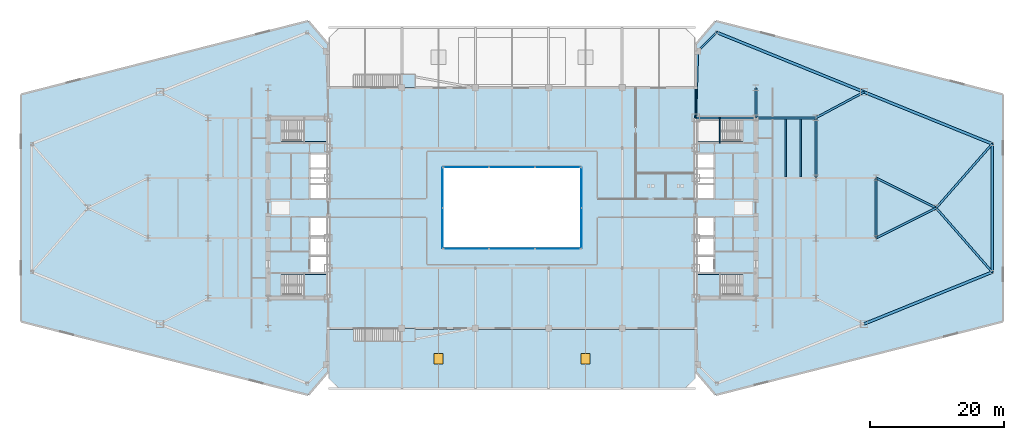
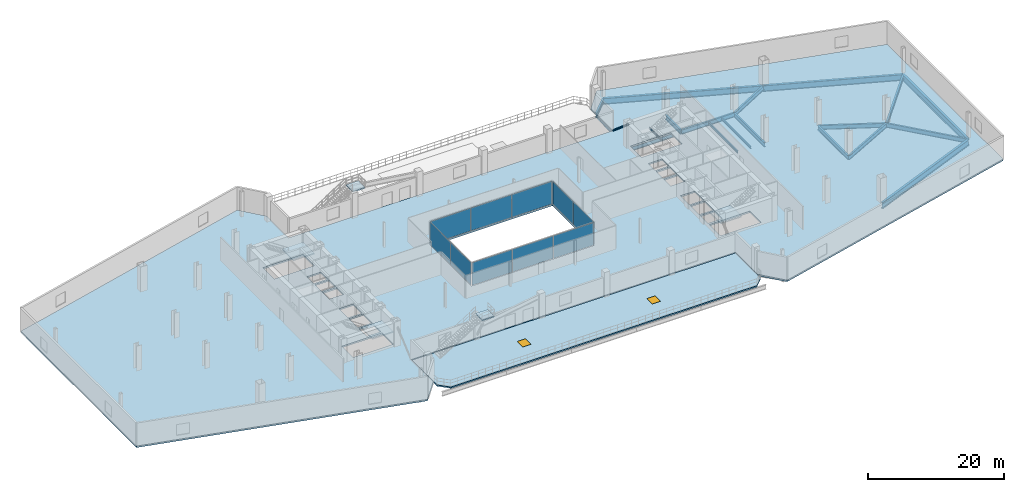
# One storey, part 16 of 27: 19 beams, 10 plates, 7 slabs, 2 windows, 1 member, 2 openings, 9 elements without a shape of their own.
"""IFC4 building model written with IfcOpenShell, lengths in metres."""

from ifc_helpers import new_model, si_unit, direction, frame, origin, origin_2d, place, context, subcontext, project, spatial, polyline, rectangle, hollow_circle, i_section, outline, extrude, source, transform, mapped, material, layer, layer_set, material_profile, profile_set, type_object, type_shapes, element, fill, aggregate, save


model = new_model("IFC4")

# Units and contexts
model_context = context("Model", 3, precision=1e-05, world=origin(), true_north=direction((0.0, 1.0)))
body_context = subcontext(model_context, "Body", "Model", "MODEL_VIEW")
ifc_project = project(units=[si_unit("LENGTHUNIT", "METRE"), si_unit("AREAUNIT", "SQUARE_METRE"), si_unit("VOLUMEUNIT", "CUBIC_METRE"), si_unit("PLANEANGLEUNIT", "RADIAN"), si_unit("MASSUNIT", "GRAM", prefix="KILO")], contexts=[model_context])

# Site, building, storey
site_placement = place(None, origin())
site = spatial("IfcSite", under=ifc_project, at=site_placement, CompositionType="ELEMENT")
building_placement = place(site_placement, origin())
building = spatial("IfcBuilding", under=site, at=building_placement, Name="Seokmaru Belvedere", CompositionType="ELEMENT")
storey_placement = place(building_placement, frame((0.0, 0.0, 9.89990234375)))
storey = spatial("IfcBuildingStorey", under=building, at=storey_placement, Name="L02", CompositionType="ELEMENT", Elevation=9.89990234375)

# Beams
ifc_material_1 = material(Name="Steel SM355 (355 MPa)", Category="steel")
ifc_material_profile_1 = material_profile(ifc_material_1, i_section(OverallWidth=0.39990234375, OverallDepth=1.10009765625, WebThickness=0.02001953125, FlangeThickness=0.033935546875, at=origin_2d()), Name="BH-1100x400x20x34")
ifc_profile_set_1 = profile_set([ifc_material_profile_1], Name="Steel SM355 (355 MPa)")
beam_type_1 = type_object("IfcBeamType", Name="Sky-Gate Transverse Girder BH-1100", PredefinedType="BEAM", material=ifc_profile_set_1)
shared_shape_1 = source(origin(), body_context, "Body", "SweptSolid", [
    extrude(i_section(OverallWidth=0.39990234375, OverallDepth=1.10009765625, WebThickness=0.02001953125, FlangeThickness=0.033935546875, at=origin_2d()), origin(), (0.0, 0.0, 1.0), 23.811767578125),
])
beam_1_placement = place(storey_placement, frame((30.643310546875, 26.294677734375, -0.829833984375), z_axis=(0.92694579442, -0.375195274766, 0.0), x_axis=(0.375195274766, 0.92694579442, 0.0)))
element("IfcBeam", 1, at=beam_1_placement, inside=storey, type_object=beam_type_1, Name="L02 E Podium Long-Span Flank Girder N-1", PredefinedType="BEAM", context=body_context, shape_type="MappedRepresentation", body=[
    mapped(shared_shape_1, transform((0.0, 0.0, 0.0), scale=1.0)),
])
shared_shape_2 = source(origin(), body_context, "Body", "SweptSolid", [
    extrude(i_section(OverallWidth=0.39990234375, OverallDepth=1.10009765625, WebThickness=0.02001953125, FlangeThickness=0.033935546875, at=origin_2d()), origin(), (0.0, 0.0, 1.0), 20.6962890625),
])
for number, where, z_axis, x_axis, name in (
    (2, (52.715576171875, -17.360595703125, -0.829833984375), (0.92695003666, 0.37518479385, 0.0), (-0.37518479385, 0.92695003666, 0.0), "L02 E Podium Long-Span Flank Girder S-2"),
    (3, (52.715576171875, 17.360595703125, -0.829833984375), (0.92695003666, -0.37518479385, 0.0), (0.37518479385, 0.92695003666, 0.0), "L02 E Podium Long-Span Flank Girder N-2"),
):
    element("IfcBeam", number, at=place(storey_placement, frame(where, z_axis=z_axis, x_axis=x_axis)), inside=storey, type_object=beam_type_1, Name=name, PredefinedType="BEAM", context=body_context, shape_type="MappedRepresentation", body=[
        mapped(shared_shape_2, transform((0.0, 0.0, 0.0), scale=1.0)),
    ])
shared_shape_3 = source(origin(), body_context, "Body", "SweptSolid", [
    extrude(i_section(OverallWidth=0.39990234375, OverallDepth=1.10009765625, WebThickness=0.02001953125, FlangeThickness=0.033935546875, at=origin_2d()), origin(), (0.0, 0.0, 1.0), 19.19140625),
])
type_shapes(beam_type_1, [shared_shape_1, shared_shape_2, shared_shape_3])
beam_2_placement = place(storey_placement, frame((71.89990234375, -9.595703125, -0.829833984375), z_axis=(0.0, 1.0, 0.0), x_axis=(-1.0, 0.0, 0.0)))
element("IfcBeam", 4, at=beam_2_placement, inside=storey, type_object=beam_type_1, Name="L02 E Podium Long-Span Apex Girder", PredefinedType="BEAM", context=body_context, shape_type="MappedRepresentation", body=[
    mapped(shared_shape_3, transform((0.0, 0.0, 0.0), scale=1.0)),
])
ifc_material_profile_2 = material_profile(ifc_material_1, i_section(OverallWidth=0.300048828125, OverallDepth=0.587890625, WebThickness=0.011962890625, FlangeThickness=0.02001953125, at=origin_2d()), Name="H-588x300x12x20")
ifc_profile_set_2 = profile_set([ifc_material_profile_2], Name="Steel SM355 (355 MPa)")
beam_type_2 = type_object("IfcBeamType", Name="Podium Edge Spandrel Beam H-588", PredefinedType="SPANDREL", material=ifc_profile_set_2)
shared_shape_4 = source(origin(), body_context, "Body", "SweptSolid", [
    extrude(i_section(OverallWidth=0.300048828125, OverallDepth=0.587890625, WebThickness=0.011962890625, FlangeThickness=0.02001953125, at=origin_2d()), origin(), (0.0, 0.0, 1.0), 9.9560546875),
])
type_shapes(beam_type_2, [shared_shape_4])
beam_3_placement = place(storey_placement, frame((27.800048828125, 23.451416015625, -0.573974609375), z_axis=(-0.030137674137, -0.999545757131, 0.0), x_axis=(0.999545757131, -0.030137674137, 0.0)))
element("IfcBeam", 5, at=beam_3_placement, inside=storey, type_object=beam_type_2, Name="L02 E Podium Spine Shoulder Tie N", PredefinedType="SPANDREL", context=body_context, shape_type="MappedRepresentation", body=[
    mapped(shared_shape_4, transform((0.0, 0.0, 0.0), scale=1.0)),
])
ifc_material_profile_3 = material_profile(ifc_material_1, i_section(OverallWidth=0.300048828125, OverallDepth=0.800048828125, WebThickness=0.013916015625, FlangeThickness=0.02587890625, at=origin_2d()), Name="H-800x300x14x26")
ifc_profile_set_3 = profile_set([ifc_material_profile_3], Name="Steel SM355 (355 MPa)")
beam_type_3 = type_object("IfcBeamType", Name="Podium Primary Girder H-800", PredefinedType="BEAM", material=ifc_profile_set_3)
shared_shape_5 = source(origin(), body_context, "Body", "SweptSolid", [
    extrude(i_section(OverallWidth=0.300048828125, OverallDepth=0.800048828125, WebThickness=0.013916015625, FlangeThickness=0.02587890625, at=origin_2d()), origin(), (0.0, 0.0, 1.0), 4.5),
])
beam_4_placement = place(storey_placement, frame((36.5, 13.5, -0.679931640625), z_axis=(0.0, 1.0, 0.0), x_axis=(-1.0, 0.0, 0.0)))
element("IfcBeam", 6, at=beam_4_placement, inside=storey, type_object=beam_type_3, Name="L02 E Core Shoulder Girder N", PredefinedType="BEAM", context=body_context, shape_type="MappedRepresentation", body=[
    mapped(shared_shape_5, transform((0.0, 0.0, 0.0), scale=1.0)),
])
shared_shape_6 = source(origin(), body_context, "Body", "SweptSolid", [
    extrude(i_section(OverallWidth=0.300048828125, OverallDepth=0.800048828125, WebThickness=0.013916015625, FlangeThickness=0.02587890625, at=origin_2d()), origin(), (0.0, 0.0, 1.0), 9.0),
])
for number, where, z_axis, x_axis, name in (
    (7, (45.5, 4.5, -0.679931640625), (0.0, 1.0, 0.0), (-1.0, 0.0, 0.0), "L02 E Interior Grid Girder 3"),
    (8, (27.5, 13.5, -0.679931640625), (1.0, 0.0, 0.0), (0.0, 1.0, 0.0), "L02 E Core Tie Girder 4"),
    (9, (36.5, 13.5, -0.679931640625), (1.0, 0.0, 0.0), (0.0, 1.0, 0.0), "L02 E Wing Primary Girder 4"),
    (10, (54.5, -4.5, -0.679931640625), (0.0, 1.0, 0.0), (-1.0, 0.0, 0.0), "L02 E Apex Frame Girder"),
):
    element("IfcBeam", number, at=place(storey_placement, frame(where, z_axis=z_axis, x_axis=x_axis)), inside=storey, type_object=beam_type_3, Name=name, PredefinedType="BEAM", context=body_context, shape_type="MappedRepresentation", body=[
        mapped(shared_shape_6, transform((0.0, 0.0, 0.0), scale=1.0)),
    ])
shared_shape_7 = source(origin(), body_context, "Body", "SweptSolid", [
    extrude(i_section(OverallWidth=0.300048828125, OverallDepth=0.800048828125, WebThickness=0.013916015625, FlangeThickness=0.02587890625, at=origin_2d()), origin(), (0.0, 0.0, 1.0), 10.062255859375),
])
for number, where, z_axis, x_axis, name in (
    (11, (54.5, -4.5, -0.679931640625), (0.894427191, 0.4472135955, 0.0), (-0.4472135955, 0.894427191, 0.0), "L02 E Apex Converging Girder 1"),
    (12, (54.5, 4.5, -0.679931640625), (0.894427191, -0.4472135955, 0.0), (0.4472135955, 0.894427191, 0.0), "L02 E Apex Converging Girder 2"),
):
    element("IfcBeam", number, at=place(storey_placement, frame(where, z_axis=z_axis, x_axis=x_axis)), inside=storey, type_object=beam_type_3, Name=name, PredefinedType="BEAM", context=body_context, shape_type="MappedRepresentation", body=[
        mapped(shared_shape_7, transform((0.0, 0.0, 0.0), scale=1.0)),
    ])
ifc_material_profile_4 = material_profile(ifc_material_1, i_section(OverallWidth=0.199951171875, OverallDepth=0.449951171875, WebThickness=0.009033203125, FlangeThickness=0.013916015625, at=origin_2d()), Name="H-450x200x9x14")
ifc_profile_set_4 = profile_set([ifc_material_profile_4], Name="Steel SM355 (355 MPa)")
beam_type_4 = type_object("IfcBeamType", Name="Podium Secondary Joist H-450", PredefinedType="JOIST", material=ifc_profile_set_4)
shared_shape_8 = source(origin(), body_context, "Body", "SweptSolid", [
    extrude(i_section(OverallWidth=0.199951171875, OverallDepth=0.449951171875, WebThickness=0.009033203125, FlangeThickness=0.013916015625, at=origin_2d()), origin(), (0.0, 0.0, 1.0), 8.68994140625),
])
type_shapes(beam_type_4, [shared_shape_8])
for number, where, z_axis, x_axis, name in (
    (13, (43.25, 4.655029296875, -0.5048828125), (0.0, 1.0, 0.0), (-1.0, 0.0, 0.0), "L02 E Wing Inner Secondary Joist 2"),
    (14, (41.0, 4.655029296875, -0.5048828125), (0.0, 1.0, 0.0), (-1.0, 0.0, 0.0), "L02 E Secondary Floor Joist 3"),
):
    element("IfcBeam", number, at=place(storey_placement, frame(where, z_axis=z_axis, x_axis=x_axis)), inside=storey, type_object=beam_type_4, Name=name, PredefinedType="JOIST", context=body_context, shape_type="MappedRepresentation", body=[
        mapped(shared_shape_8, transform((0.0, 0.0, 0.0), scale=1.0)),
    ])
shared_shape_9 = source(origin(), body_context, "Body", "SweptSolid", [
    extrude(i_section(OverallWidth=0.300048828125, OverallDepth=0.800048828125, WebThickness=0.013916015625, FlangeThickness=0.02587890625, at=origin_2d()), origin(), (0.0, 0.0, 1.0), 4.02099609375),
])
beam_5_placement = place(storey_placement, frame((30.643310546875, 26.294677734375, -0.679931640625), z_axis=(-0.707106781187, -0.707106781187, 0.0), x_axis=(0.707106781187, -0.707106781187, 0.0)))
element("IfcBeam", 15, at=beam_5_placement, inside=storey, type_object=beam_type_3, Name="L02 E Podium North Shoulder Girder", PredefinedType="BEAM", context=body_context, shape_type="MappedRepresentation", body=[
    mapped(shared_shape_9, transform((0.0, 0.0, 0.0), scale=1.0)),
])
shared_shape_10 = source(origin(), body_context, "Body", "SweptSolid", [
    extrude(i_section(OverallWidth=0.300048828125, OverallDepth=0.800048828125, WebThickness=0.013916015625, FlangeThickness=0.02587890625, at=origin_2d()), origin(), (0.0, 0.0, 1.0), 8.183349609375),
])
beam_6_placement = place(storey_placement, frame((52.715576171875, 17.360595703125, -0.679931640625), z_axis=(-0.881728657166, -0.47175690258, 0.0), x_axis=(0.47175690258, -0.881728657166, 0.0)))
element("IfcBeam", 16, at=beam_6_placement, inside=storey, type_object=beam_type_3, Name="L02 E Flank Radial Floor Girder N-2", PredefinedType="BEAM", context=body_context, shape_type="MappedRepresentation", body=[
    mapped(shared_shape_10, transform((0.0, 0.0, 0.0), scale=1.0)),
])
shared_shape_11 = source(origin(), body_context, "Body", "SweptSolid", [
    extrude(i_section(OverallWidth=0.300048828125, OverallDepth=0.800048828125, WebThickness=0.013916015625, FlangeThickness=0.02587890625, at=origin_2d()), origin(), (0.0, 0.0, 1.0), 12.7529296875),
])
type_shapes(beam_type_3, [shared_shape_5, shared_shape_6, shared_shape_7, shared_shape_9, shared_shape_10, shared_shape_11])
for number, where, z_axis, x_axis, name in (
    (17, (71.89990234375, -9.595703125, -0.679931640625), (-0.658667231479, 0.752434368019, 0.0), (-0.752434368019, -0.658667231479, 0.0), "L02 E Apex Radial Floor Girder 1"),
    (18, (71.89990234375, 9.595703125, -0.679931640625), (-0.658667231479, -0.752434368019, 0.0), (0.752434368019, -0.658667231479, 0.0), "L02 E Apex Radial Floor Girder 2"),
):
    element("IfcBeam", number, at=place(storey_placement, frame(where, z_axis=z_axis, x_axis=x_axis)), inside=storey, type_object=beam_type_3, Name=name, PredefinedType="BEAM", context=body_context, shape_type="MappedRepresentation", body=[
        mapped(shared_shape_11, transform((0.0, 0.0, 0.0), scale=1.0)),
    ])

# Member
ifc_material_profile_5 = material_profile(ifc_material_1, hollow_circle(Radius=0.1337890625, WallThickness=0.00927734375, at=origin_2d()), Name="CHS-267.4x9.3")
ifc_profile_set_5 = profile_set([ifc_material_profile_5], Name="Steel SM355 (355 MPa)")
member_type = type_object("IfcMemberType", Name="Canopy Tie Strut CHS-267", PredefinedType="BRACE", material=ifc_profile_set_5)
shared_shape_12 = source(origin(), body_context, "Body", "SweptSolid", [
    extrude(hollow_circle(Radius=0.1337890625, WallThickness=0.00927734375, at=origin_2d()), origin(), (0.0, 0.0, 1.0), 5.90283203125),
])
type_shapes(member_type, [shared_shape_12])
member_placement = place(storey_placement, frame((27.5, 18.0, 0.0), z_axis=(0.0, -0.76235144486, 0.64716325183), x_axis=(1.0, 0.0, 0.0)))
element("IfcMember", 19, at=member_placement, inside=storey, type_object=member_type, Name="L02 Podium Portal Tie Strut EN", PredefinedType="BRACE", context=body_context, shape_type="MappedRepresentation", body=[
    mapped(shared_shape_12, transform((0.0, 0.0, 0.0), scale=1.0)),
])

# Beam
ifc_material_profile_6 = material_profile(ifc_material_1, i_section(OverallWidth=0.125, OverallDepth=0.25, WebThickness=0.006103515625, FlangeThickness=0.009033203125, at=origin_2d()), Name="H-250x125x6x9")
ifc_profile_set_6 = profile_set([ifc_material_profile_6], Name="Steel SM355 (355 MPa)")
beam_type_5 = type_object("IfcBeamType", Name="Stair Mid-Landing Support Beam H-250", PredefinedType="JOIST", material=ifc_profile_set_6)
shared_shape_13 = source(origin(), body_context, "Body", "SweptSolid", [
    extrude(i_section(OverallWidth=0.125, OverallDepth=0.25, WebThickness=0.006103515625, FlangeThickness=0.009033203125, at=origin_2d()), origin(), (0.0, 0.0, 1.0), 3.800048828125),
])
type_shapes(beam_type_5, [shared_shape_13])
beam_7_placement = place(storey_placement, frame((31.090087890625, 9.699951171875, 1.925048828125), z_axis=(0.0, 1.0, 0.0), x_axis=(-1.0, 0.0, 0.0)))
element("IfcBeam", 20, at=beam_7_placement, inside=storey, type_object=beam_type_5, Name="L02 Stair ST-E2 Mid-Landing Support Beam 1", PredefinedType="JOIST", context=body_context, shape_type="MappedRepresentation", body=[
    mapped(shared_shape_13, transform((0.0, 0.0, 0.0), scale=1.0)),
])

# Slab, openings, windows
ifc_material_2 = material(Name="Concrete C40 (40 MPa)", Category="concrete")
ifc_layer_1 = layer(ifc_material_2, 0.239990234375)
ifc_layer_set_1 = layer_set([ifc_layer_1], Name="Concrete C40 (40 MPa)")
slab_type_1 = type_object("IfcSlabType", Name="Planted Garden Terrace Slab 240", PredefinedType="ROOF", material=ifc_layer_set_1)
slab_1_placement = place(storey_placement, frame((0.0, 0.0, -0.239990234375)))
slab_1 = element("IfcSlab", 21, at=slab_1_placement, inside=storey, type_object=slab_type_1, Name="L02 Cascading Planted Garden Terrace South", PredefinedType="ROOF", context=body_context, shape_type="SweptSolid", body=[
    extrude(outline(polyline([(-25.949951171875, -27.0), (25.949951171875, -27.0), (27.449951171875, -25.5), (27.449951171875, -18.159912109375), (-27.449951171875, -18.159912109375), (-27.449951171875, -25.5), (-25.949951171875, -27.0)])), origin(), (0.0, 0.0, 1.0), 0.239990234375),
])
opening_1_placement = place(slab_1_placement, frame((-11.0, -22.580078125, -0.010009765625)))
opening_1 = element("IfcOpeningElement", 22, at=opening_1_placement, cuts=slab_1, Name="Opening SK3", PredefinedType="OPENING", context=body_context, shape_type="SweptSolid", body=[
    extrude(rectangle(XDim=1.39990234375, YDim=1.60009765625, at=origin_2d()), origin(), (0.0, 0.0, 1.0), 0.260009765625),
])
opening_2_placement = place(slab_1_placement, frame((11.0, -22.580078125, -0.010009765625)))
opening_2 = element("IfcOpeningElement", 23, at=opening_2_placement, cuts=slab_1, Name="Opening SK3", PredefinedType="OPENING", context=body_context, shape_type="SweptSolid", body=[
    extrude(rectangle(XDim=1.39990234375, YDim=1.60009765625, at=origin_2d()), origin(), (0.0, 0.0, 1.0), 0.260009765625),
])
ifc_material_3 = material(Name="Bronze Triple Insulating Glass", Category="glass")
window_type = type_object("IfcWindowType", Name="Podium Concourse Roof Atrium Skylight 1400x1600", PartitioningType="SINGLE_PANEL", PredefinedType="SKYLIGHT", material=ifc_material_3)
window_1_placement = place(opening_1_placement, frame((0.0, 0.0, 0.199951171875)))
window_1 = element("IfcWindow", 24, at=window_1_placement, inside=storey, type_object=window_type, Name="L02 South Podium Roof Atrium Skylight 1", OverallHeight=1.60009765625, OverallWidth=1.39990234375, PartitioningType="SINGLE_PANEL", PredefinedType="SKYLIGHT", context=body_context, shape_type="SweptSolid", body=[
    extrude(rectangle(XDim=1.39990234375, YDim=1.60009765625, at=origin_2d()), origin(), (0.0, 0.0, 1.0), 0.050048828125),
])
fill(opening_1, window_1)
window_2_placement = place(opening_2_placement, frame((0.0, 0.0, 0.199951171875)))
window_2 = element("IfcWindow", 25, at=window_2_placement, inside=storey, type_object=window_type, Name="L02 South Podium Roof Atrium Skylight 2", OverallHeight=1.60009765625, OverallWidth=1.39990234375, PartitioningType="SINGLE_PANEL", PredefinedType="SKYLIGHT", context=body_context, shape_type="SweptSolid", body=[
    extrude(rectangle(XDim=1.39990234375, YDim=1.60009765625, at=origin_2d()), origin(), (0.0, 0.0, 1.0), 0.050048828125),
])
fill(opening_2, window_2)

# Slab
ifc_material_4 = material(Name="Concrete C50 (50 MPa)", Category="concrete")
ifc_layer_2 = layer(ifc_material_4, 0.280029296875)
ifc_layer_set_2 = layer_set([ifc_layer_2], Name="Concrete C50 (50 MPa)")
slab_type_2 = type_object("IfcSlabType", Name="Podium Composite Floor Slab 280", PredefinedType="FLOOR", material=ifc_layer_set_2)
slab_2_placement = place(storey_placement, frame((0.0, 0.0, -0.27978515625)))
element("IfcSlab", 26, at=slab_2_placement, inside=storey, type_object=slab_type_2, Name="L02 Structural Floor Slab", PredefinedType="FLOOR", context=body_context, shape_type="SweptSolid", body=[
    extrude(outline(polyline([(-73.5, -17.0), (-30.5, -28.0), (-27.5, -24.5), (-27.5, -18.0), (27.5, -18.0), (27.5, -24.5), (30.5, -28.0), (73.5, -17.0), (73.5, 17.0), (30.5, 28.0), (27.5, 24.5), (27.5, 18.0), (-27.5, 18.0), (-27.5, 24.5), (-30.5, 28.0), (-73.5, 17.0), (-73.5, -17.0)]), holes=[polyline([(-34.60009765625, -13.25), (-27.75, -13.25), (-27.75, -9.949951171875), (-34.60009765625, -9.949951171875), (-34.60009765625, -13.25)]), polyline([(-34.60009765625, 9.949951171875), (-27.75, 9.949951171875), (-27.75, 13.25), (-34.60009765625, 13.25), (-34.60009765625, 9.949951171875)]), polyline([(27.75, -13.25), (34.60009765625, -13.25), (34.60009765625, -9.949951171875), (27.75, -9.949951171875), (27.75, -13.25)]), polyline([(27.75, 9.949951171875), (34.60009765625, 9.949951171875), (34.60009765625, 13.25), (27.75, 13.25), (27.75, 9.949951171875)]), polyline([(-30.14990234375, -9.550048828125), (-27.75, -9.550048828125), (-27.75, -7.25), (-30.14990234375, -7.25), (-30.14990234375, -9.550048828125)]), polyline([(-30.14990234375, -6.949951171875), (-27.75, -6.949951171875), (-27.75, -4.35009765625), (-30.14990234375, -4.35009765625), (-30.14990234375, -6.949951171875)]), polyline([(-30.14990234375, -4.050048828125), (-27.75, -4.050048828125), (-27.75, -1.449951171875), (-30.14990234375, -1.449951171875), (-30.14990234375, -4.050048828125)]), polyline([(-30.14990234375, 1.449951171875), (-27.75, 1.449951171875), (-27.75, 3.449951171875), (-30.14990234375, 3.449951171875), (-30.14990234375, 1.449951171875)]), polyline([(-30.14990234375, 3.75), (-27.75, 3.75), (-27.75, 5.75), (-30.14990234375, 5.75), (-30.14990234375, 3.75)]), polyline([(-30.14990234375, 6.050048828125), (-27.75, 6.050048828125), (-27.75, 8.050048828125), (-30.14990234375, 8.050048828125), (-30.14990234375, 6.050048828125)]), polyline([(27.75, -9.550048828125), (30.14990234375, -9.550048828125), (30.14990234375, -7.25), (27.75, -7.25), (27.75, -9.550048828125)]), polyline([(27.75, -6.949951171875), (30.14990234375, -6.949951171875), (30.14990234375, -4.35009765625), (27.75, -4.35009765625), (27.75, -6.949951171875)]), polyline([(27.75, -4.050048828125), (30.14990234375, -4.050048828125), (30.14990234375, -1.449951171875), (27.75, -1.449951171875), (27.75, -4.050048828125)]), polyline([(27.75, 1.449951171875), (30.14990234375, 1.449951171875), (30.14990234375, 3.449951171875), (27.75, 3.449951171875), (27.75, 1.449951171875)]), polyline([(27.75, 3.75), (30.14990234375, 3.75), (30.14990234375, 5.75), (27.75, 5.75), (27.75, 3.75)]), polyline([(27.75, 6.050048828125), (30.14990234375, 6.050048828125), (30.14990234375, 8.050048828125), (27.75, 8.050048828125), (27.75, 6.050048828125)]), polyline([(-10.39990234375, -6.10009765625), (10.39990234375, -6.10009765625), (10.39990234375, 6.10009765625), (-10.39990234375, 6.10009765625), (-10.39990234375, -6.10009765625)])]), origin(), (0.0, 0.0, 1.0), 0.27978515625),
])

# Stair, slab
stair_type_1 = type_object("IfcStairType", Name="Cascading Podium Core Dog-Leg Stair 4500", PredefinedType="TWO_STRAIGHT_RUN_STAIR", material=ifc_material_2)
stair_1_placement = place(storey_placement, origin())
stair_1 = element("IfcStair", 27, at=stair_1_placement, inside=storey, type_object=stair_type_1, Name="L02 Special Escape Stair ST-W1", PredefinedType="TWO_STRAIGHT_RUN_STAIR")
ifc_layer_3 = layer(ifc_material_2, 0.199951171875)
ifc_layer_set_3 = layer_set([ifc_layer_3], Name="Concrete C40 (40 MPa)")
slab_type_3 = type_object("IfcSlabType", Name="Reinforced Concrete Stair Landing Slab 200", PredefinedType="LANDING", material=ifc_layer_set_3)
slab_3_placement = place(storey_placement, frame((0.0, 0.0, 2.050048828125)))
slab_3 = element("IfcSlab", 28, at=slab_3_placement, type_object=slab_type_3, Name="ST-W1 landing 1", PredefinedType="LANDING", context=body_context, shape_type="SweptSolid", body=[
    extrude(outline(polyline([(-31.320068359375, -13.239990234375), (-27.760009765625, -13.239990234375), (-27.760009765625, -9.949951171875), (-31.320068359375, -9.949951171875), (-31.320068359375, -13.239990234375)])), origin(), (0.0, 0.0, 1.0), 0.199951171875),
])
aggregate(stair_1, [slab_3])

stair_2_placement = place(storey_placement, origin())
stair_2 = element("IfcStair", 29, at=stair_2_placement, inside=storey, type_object=stair_type_1, Name="L02 Special Escape Stair ST-W2", PredefinedType="TWO_STRAIGHT_RUN_STAIR")
slab_4_placement = place(storey_placement, frame((0.0, 0.0, 2.050048828125)))
slab_4 = element("IfcSlab", 30, at=slab_4_placement, type_object=slab_type_3, Name="ST-W2 landing 1", PredefinedType="LANDING", context=body_context, shape_type="SweptSolid", body=[
    extrude(outline(polyline([(-31.320068359375, 9.949951171875), (-27.760009765625, 9.949951171875), (-27.760009765625, 13.239990234375), (-31.320068359375, 13.239990234375), (-31.320068359375, 9.949951171875)])), origin(), (0.0, 0.0, 1.0), 0.199951171875),
])
aggregate(stair_2, [slab_4])

stair_3_placement = place(storey_placement, origin())
stair_3 = element("IfcStair", 31, at=stair_3_placement, inside=storey, type_object=stair_type_1, Name="L02 Special Escape Stair ST-E1", PredefinedType="TWO_STRAIGHT_RUN_STAIR")
slab_5_placement = place(storey_placement, frame((0.0, 0.0, 2.050048828125)))
slab_5 = element("IfcSlab", 32, at=slab_5_placement, type_object=slab_type_3, Name="ST-E1 landing 1", PredefinedType="LANDING", context=body_context, shape_type="SweptSolid", body=[
    extrude(outline(polyline([(27.760009765625, -13.239990234375), (31.320068359375, -13.239990234375), (31.320068359375, -9.949951171875), (27.760009765625, -9.949951171875), (27.760009765625, -13.239990234375)])), origin(), (0.0, 0.0, 1.0), 0.199951171875),
])
aggregate(stair_3, [slab_5])

stair_type_2 = type_object("IfcStairType", Name="Cascading Garden Terrace Feature Straight Stair 1800", PredefinedType="STRAIGHT_RUN_STAIR", material=ifc_material_2)
stair_4_placement = place(storey_placement, origin())
stair_4 = element("IfcStair", 33, at=stair_4_placement, inside=storey, type_object=stair_type_2, Name="L02 Cascading Terrace Straight Stair N3", PredefinedType="STRAIGHT_RUN_STAIR")
slab_6_placement = place(storey_placement, frame((0.0, 0.0, 4.300048828125)))
slab_6 = element("IfcSlab", 34, at=slab_6_placement, type_object=slab_type_3, Name="ST-T4 landing 1", PredefinedType="LANDING", context=body_context, shape_type="SweptSolid", body=[
    extrude(outline(polyline([(-16.614990234375, 18.02001953125), (-14.534912109375, 18.02001953125), (-14.534912109375, 20.0), (-16.614990234375, 20.0), (-16.614990234375, 18.02001953125)])), origin(), (0.0, 0.0, 1.0), 0.199951171875),
])
aggregate(stair_4, [slab_6])

stair_5_placement = place(storey_placement, origin())
stair_5 = element("IfcStair", 35, at=stair_5_placement, inside=storey, type_object=stair_type_2, Name="L02 Cascading Terrace Straight Stair S2", PredefinedType="STRAIGHT_RUN_STAIR")
slab_7_placement = place(storey_placement, frame((0.0, 0.0, 4.300048828125)))
slab_7 = element("IfcSlab", 36, at=slab_7_placement, type_object=slab_type_3, Name="ST-T5 landing 1", PredefinedType="LANDING", context=body_context, shape_type="SweptSolid", body=[
    extrude(outline(polyline([(-16.614990234375, -20.0), (-14.534912109375, -20.0), (-14.534912109375, -18.02001953125), (-16.614990234375, -18.02001953125), (-16.614990234375, -20.0)])), origin(), (0.0, 0.0, 1.0), 0.199951171875),
])
aggregate(stair_5, [slab_7])

# Curtain wall, plates
ifc_layer_4 = layer(ifc_material_3, 0.219970703125)
ifc_layer_set_4 = layer_set([ifc_layer_4], Name="Bronze Triple Insulating Glass")
curtain_wall_type = type_object("IfcCurtainWallType", Name="Podium Concourse Curtain Wall System CW-1", PredefinedType="NOTDEFINED", material=ifc_layer_set_4)
curtain_wall_1_placement = place(storey_placement, origin())
curtain_wall_1 = element("IfcCurtainWall", 37, at=curtain_wall_1_placement, inside=storey, type_object=curtain_wall_type, Name="L02 Curtain Wall AT_S", PredefinedType="NOTDEFINED")
ifc_layer_5 = layer(ifc_material_3, 0.035888671875)
ifc_layer_set_5 = layer_set([ifc_layer_5], Name="Bronze Triple Insulating Glass")
plate_type = type_object("IfcPlateType", Name="Bronze Triple Vision Glazing Panel 36", PredefinedType="CURTAIN_PANEL", material=ifc_layer_set_5)
shared_shape_14 = source(origin(), body_context, "Body", "SweptSolid", [
    extrude(rectangle(XDim=6.800048828125, YDim=0.035888671875, at=origin_2d()), origin(), (0.0, 0.0, 1.0), 4.070068359375),
])
plate_1_placement = place(storey_placement, frame((-6.89990234375, -6.10009765625, 0.0751953125), z_axis=(0.0, 0.0, 1.0), x_axis=(1.0, 0.0, 0.0)))
plate_1 = element("IfcPlate", 38, at=plate_1_placement, type_object=plate_type, Name="CW:L02:AT_S Glazing Panel 1-1", PredefinedType="CURTAIN_PANEL", context=body_context, shape_type="MappedRepresentation", body=[
    mapped(shared_shape_14, transform((0.0, 0.0, 0.0), scale=1.0)),
])
plate_2_placement = place(storey_placement, frame((6.89990234375, -6.10009765625, 0.0751953125), z_axis=(0.0, 0.0, 1.0), x_axis=(1.0, 0.0, 0.0)))
plate_2 = element("IfcPlate", 39, at=plate_2_placement, type_object=plate_type, Name="CW:L02:AT_S Glazing Panel 3-1", PredefinedType="CURTAIN_PANEL", context=body_context, shape_type="MappedRepresentation", body=[
    mapped(shared_shape_14, transform((0.0, 0.0, 0.0), scale=1.0)),
])

curtain_wall_2_placement = place(storey_placement, origin())
curtain_wall_2 = element("IfcCurtainWall", 40, at=curtain_wall_2_placement, inside=storey, type_object=curtain_wall_type, Name="L02 Curtain Wall AT_N", PredefinedType="NOTDEFINED")
plate_3_placement = place(storey_placement, frame((6.89990234375, 6.10009765625, 0.0751953125), z_axis=(0.0, 0.0, 1.0), x_axis=(-1.0, 0.0, 0.0)))
plate_3 = element("IfcPlate", 41, at=plate_3_placement, type_object=plate_type, Name="CW:L02:AT_N Glazing Panel 1-1", PredefinedType="CURTAIN_PANEL", context=body_context, shape_type="MappedRepresentation", body=[
    mapped(shared_shape_14, transform((0.0, 0.0, 0.0), scale=1.0)),
])
plate_4_placement = place(storey_placement, frame((-6.89990234375, 6.10009765625, 0.0751953125), z_axis=(0.0, 0.0, 1.0), x_axis=(-1.0, 0.0, 0.0)))
plate_4 = element("IfcPlate", 42, at=plate_4_placement, type_object=plate_type, Name="CW:L02:AT_N Glazing Panel 3-1", PredefinedType="CURTAIN_PANEL", context=body_context, shape_type="MappedRepresentation", body=[
    mapped(shared_shape_14, transform((0.0, 0.0, 0.0), scale=1.0)),
])

# Plate
shared_shape_15 = source(origin(), body_context, "Body", "SweptSolid", [
    extrude(rectangle(XDim=6.840087890625, YDim=0.035888671875, at=origin_2d()), origin(), (0.0, 0.0, 1.0), 4.070068359375),
])
plate_5_placement = place(storey_placement, frame((0.0, -6.10009765625, 0.0751953125), z_axis=(0.0, 0.0, 1.0), x_axis=(1.0, 0.0, 0.0)))
plate_5 = element("IfcPlate", 43, at=plate_5_placement, type_object=plate_type, Name="CW:L02:AT_S Glazing Panel 2-1", PredefinedType="CURTAIN_PANEL", context=body_context, shape_type="MappedRepresentation", body=[
    mapped(shared_shape_15, transform((0.0, 0.0, 0.0), scale=1.0)),
])

aggregate(curtain_wall_1, [plate_1, plate_5, plate_2])

plate_6_placement = place(storey_placement, frame((0.0, 6.10009765625, 0.0751953125), z_axis=(0.0, 0.0, 1.0), x_axis=(-1.0, 0.0, 0.0)))
plate_6 = element("IfcPlate", 44, at=plate_6_placement, type_object=plate_type, Name="CW:L02:AT_N Glazing Panel 2-1", PredefinedType="CURTAIN_PANEL", context=body_context, shape_type="MappedRepresentation", body=[
    mapped(shared_shape_15, transform((0.0, 0.0, 0.0), scale=1.0)),
])

aggregate(curtain_wall_2, [plate_3, plate_6, plate_4])

# Curtain wall, plates
curtain_wall_3_placement = place(storey_placement, origin())
curtain_wall_3 = element("IfcCurtainWall", 45, at=curtain_wall_3_placement, inside=storey, type_object=curtain_wall_type, Name="L02 Curtain Wall AT_E", PredefinedType="NOTDEFINED")
shared_shape_16 = source(origin(), body_context, "Body", "SweptSolid", [
    extrude(rectangle(XDim=5.9599609375, YDim=0.035888671875, at=origin_2d()), origin(), (0.0, 0.0, 1.0), 4.070068359375),
])
type_shapes(plate_type, [shared_shape_14, shared_shape_15, shared_shape_16])
plate_7_placement = place(storey_placement, frame((10.39990234375, -3.02001953125, 0.0751953125), z_axis=(0.0, 0.0, 1.0), x_axis=(0.0, 1.0, 0.0)))
plate_7 = element("IfcPlate", 46, at=plate_7_placement, type_object=plate_type, Name="CW:L02:AT_E Glazing Panel 1-1", PredefinedType="CURTAIN_PANEL", context=body_context, shape_type="MappedRepresentation", body=[
    mapped(shared_shape_16, transform((0.0, 0.0, 0.0), scale=1.0)),
])
plate_8_placement = place(storey_placement, frame((10.39990234375, 3.02001953125, 0.0751953125), z_axis=(0.0, 0.0, 1.0), x_axis=(0.0, 1.0, 0.0)))
plate_8 = element("IfcPlate", 47, at=plate_8_placement, type_object=plate_type, Name="CW:L02:AT_E Glazing Panel 2-1", PredefinedType="CURTAIN_PANEL", context=body_context, shape_type="MappedRepresentation", body=[
    mapped(shared_shape_16, transform((0.0, 0.0, 0.0), scale=1.0)),
])
aggregate(curtain_wall_3, [plate_7, plate_8])

curtain_wall_4_placement = place(storey_placement, origin())
curtain_wall_4 = element("IfcCurtainWall", 48, at=curtain_wall_4_placement, inside=storey, type_object=curtain_wall_type, Name="L02 Curtain Wall AT_W", PredefinedType="NOTDEFINED")
plate_9_placement = place(storey_placement, frame((-10.39990234375, 3.02001953125, 0.0751953125), z_axis=(0.0, 0.0, 1.0), x_axis=(0.0, -1.0, 0.0)))
plate_9 = element("IfcPlate", 49, at=plate_9_placement, type_object=plate_type, Name="CW:L02:AT_W Glazing Panel 1-1", PredefinedType="CURTAIN_PANEL", context=body_context, shape_type="MappedRepresentation", body=[
    mapped(shared_shape_16, transform((0.0, 0.0, 0.0), scale=1.0)),
])
plate_10_placement = place(storey_placement, frame((-10.39990234375, -3.02001953125, 0.0751953125), z_axis=(0.0, 0.0, 1.0), x_axis=(0.0, -1.0, 0.0)))
plate_10 = element("IfcPlate", 50, at=plate_10_placement, type_object=plate_type, Name="CW:L02:AT_W Glazing Panel 2-1", PredefinedType="CURTAIN_PANEL", context=body_context, shape_type="MappedRepresentation", body=[
    mapped(shared_shape_16, transform((0.0, 0.0, 0.0), scale=1.0)),
])
aggregate(curtain_wall_4, [plate_9, plate_10])

save(model, "model.ifc")
